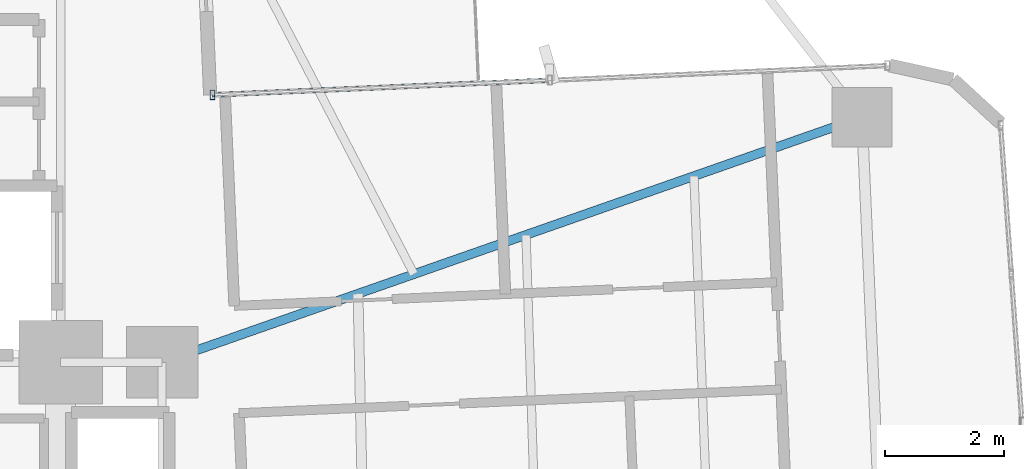
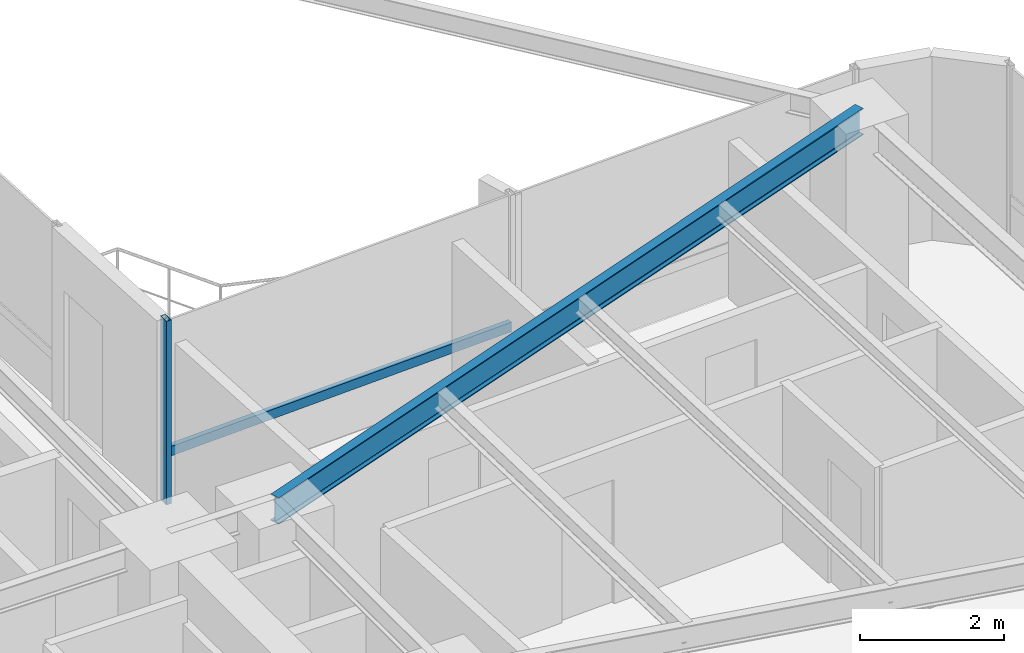
# One storey, part 13 of 27: 2 members, 1 beam, 1 element without a shape of its own.
"""IFC4 building model written with IfcOpenShell, lengths in metres."""

from ifc_helpers import new_model, si_unit, direction, frame, origin, origin_2d, place, context, subcontext, project, spatial, hollow_rectangle, i_section, extrude, source, transform, mapped, material, material_profile, profile_set, type_object, element, aggregate, save


model = new_model("IFC4")

# Units and contexts
model_context = context("Model", 3, precision=1e-05, world=origin(), true_north=direction((0.0, 1.0)))
body_context = subcontext(model_context, "Body", "Model", "MODEL_VIEW")
ifc_project = project(units=[si_unit("LENGTHUNIT", "METRE"), si_unit("AREAUNIT", "SQUARE_METRE"), si_unit("VOLUMEUNIT", "CUBIC_METRE"), si_unit("PLANEANGLEUNIT", "RADIAN"), si_unit("MASSUNIT", "GRAM", prefix="KILO")], contexts=[model_context])

# Site, building, storey
site_placement = place(None, origin())
site = spatial("IfcSite", under=ifc_project, at=site_placement, CompositionType="ELEMENT")
building_placement = place(site_placement, origin())
building = spatial("IfcBuilding", under=site, at=building_placement, Name="Sahyath Konkavel Grand Hotel", CompositionType="ELEMENT")
storey_placement = place(building_placement, frame((0.0, 0.0, 90.199951171875)))
storey = spatial("IfcBuildingStorey", under=building, at=storey_placement, Name="L24", CompositionType="ELEMENT", Elevation=90.199951171875)

# Beam
ifc_material_1 = material(Name="Steel E350", Category="steel")
ifc_material_profile_1 = material_profile(ifc_material_1, i_section(OverallWidth=0.14990234375, OverallDepth=0.449951171875, WebThickness=0.009521484375, FlangeThickness=0.017333984375, FilletRadius=0.014892578125, at=origin_2d()), Name="ISMB 450")
ifc_profile_set_1 = profile_set([ifc_material_profile_1], Name="Steel E350")
beam_type = type_object("IfcBeamType", Name="BM-ISMB450", PredefinedType="BEAM", material=ifc_profile_set_1)
shared_shape_1 = source(origin(), body_context, "Body", "SweptSolid", [
    extrude(i_section(OverallWidth=0.14990234375, OverallDepth=0.449951171875, WebThickness=0.009521484375, FlangeThickness=0.017333984375, FilletRadius=0.014892578125, at=origin_2d()), origin(), (0.0, 0.0, 1.0), 12.430908203125),
])
beam_placement = place(storey_placement, frame((5.5, 2.39990234375, 2.885009765625), z_axis=(0.943819157235, 0.330462400941, 0.0), x_axis=(-0.330462400941, 0.943819157235, 0.0)))
element("IfcBeam", 1, at=beam_placement, inside=storey, type_object=beam_type, Name="L24 Cruciform Radial Girder EB", PredefinedType="BEAM", context=body_context, shape_type="MappedRepresentation", body=[
    mapped(shared_shape_1, transform((0.0, 0.0, 0.0), scale=1.0)),
])

# Curtain wall, members
ifc_material_2 = material(Name="Anodised Bronze Aluminium & Low-E Glazing", Category="aluminium")
curtain_wall_type = type_object("IfcCurtainWallType", Name="CW-ZONE2", PredefinedType="NOTDEFINED", material=ifc_material_2)
curtain_wall_placement = place(storey_placement, origin())
curtain_wall = element("IfcCurtainWall", 2, at=curtain_wall_placement, inside=storey, type_object=curtain_wall_type, Name="L24 Unitised Curtain Wall F7", PredefinedType="NOTDEFINED")
ifc_material_3 = material(Name="Anodised Bronze Aluminium", Category="aluminium")
ifc_material_profile_2 = material_profile(ifc_material_3, hollow_rectangle(XDim=0.080078125, YDim=0.159912109375, WallThickness=0.006103515625, at=origin_2d()), Name="RHS 160x80x6")
ifc_profile_set_2 = profile_set([ifc_material_profile_2], Name="Anodised Bronze Aluminium")
member_type_1 = type_object("IfcMemberType", Name="CW-MUL-160", PredefinedType="MULLION", material=ifc_profile_set_2)
shared_shape_2 = source(origin(), body_context, "Body", "SweptSolid", [
    extrude(hollow_rectangle(XDim=0.080078125, YDim=0.159912109375, WallThickness=0.006103515625, at=origin_2d()), origin(), (0.0, 0.0, 1.0), 3.110107421875),
])
member_1_placement = place(storey_placement, frame((6.345703125, 6.88330078125, 0.0), z_axis=(0.0, 0.0, 1.0), x_axis=(1.0, 0.0, 0.0)))
member_1 = element("IfcMember", 3, at=member_1_placement, type_object=member_type_1, Name="L24 Curtain Wall Mullion F7-2", PredefinedType="MULLION", context=body_context, shape_type="MappedRepresentation", body=[
    mapped(shared_shape_2, transform((0.0, 0.0, 0.0), scale=1.0)),
])
ifc_material_profile_3 = material_profile(ifc_material_3, hollow_rectangle(XDim=0.080078125, YDim=0.159912109375, WallThickness=0.006103515625, at=origin_2d()), Name="RHS 160x80x6")
ifc_profile_set_3 = profile_set([ifc_material_profile_3], Name="Anodised Bronze Aluminium")
member_type_2 = type_object("IfcMemberType", Name="CW-TRN-160", PredefinedType="USERDEFINED", material=ifc_profile_set_3)
shared_shape_3 = source(origin(), body_context, "Body", "SweptSolid", [
    extrude(hollow_rectangle(XDim=0.080078125, YDim=0.159912109375, WallThickness=0.006103515625, at=origin_2d()), origin(), (0.0, 0.0, 1.0), 5.66015625),
])
member_2_placement = place(storey_placement, frame((12.00048828125, 7.13037109375, 0.85009765625), z_axis=(-0.9990468579, -0.043650609628, 0.0), x_axis=(0.043650609628, -0.9990468579, 0.0)))
member_2 = element("IfcMember", 4, at=member_2_placement, type_object=member_type_2, Name="L24 Curtain Wall Transom F7-1-spandrel", ObjectType="TRANSOM", PredefinedType="USERDEFINED", context=body_context, shape_type="MappedRepresentation", body=[
    mapped(shared_shape_3, transform((0.0, 0.0, 0.0), scale=1.0)),
])
aggregate(curtain_wall, [member_1, member_2])

save(model, "model.ifc")
